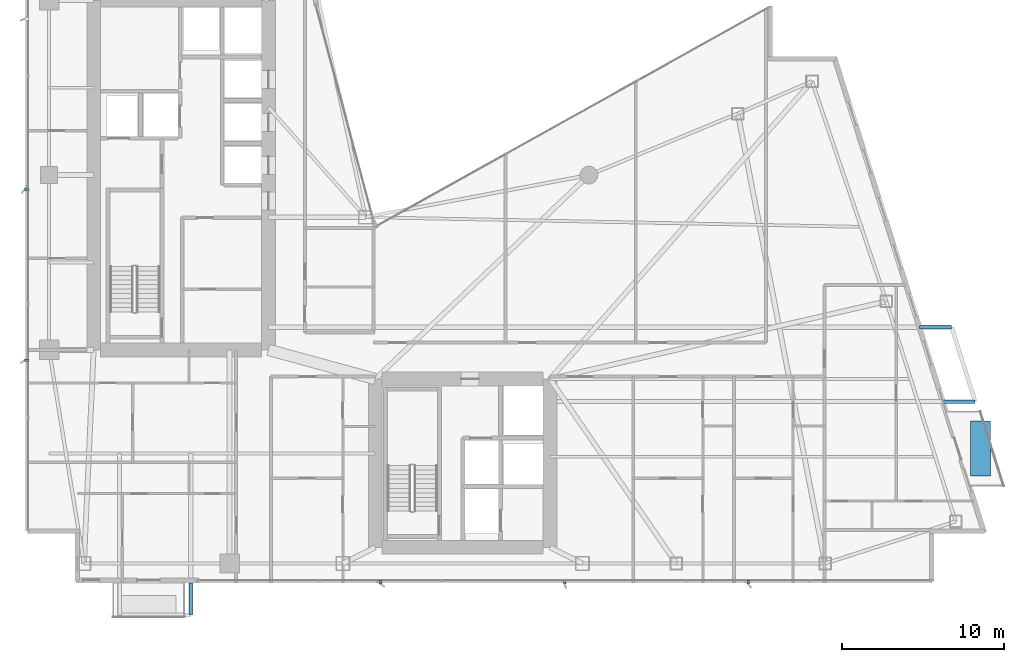
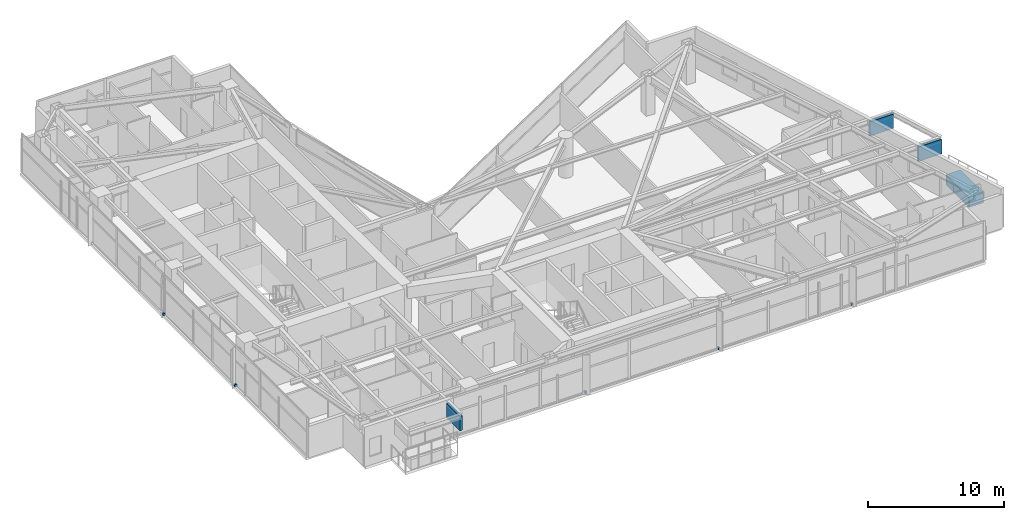
# One storey, part 26 of 29: 9 discrete accessories.
"""IFC4 building model written with IfcOpenShell, lengths in metres."""

from ifc_helpers import new_model, si_unit, direction, frame, origin, origin_2d, place, context, subcontext, project, spatial, rectangle, extrude, material, type_object, element, save


model = new_model("IFC4")

# Units and contexts
model_context = context("Model", 3, precision=1e-05, world=origin(), true_north=direction((0.0, 1.0)))
body_context = subcontext(model_context, "Body", "Model", "MODEL_VIEW")
ifc_project = project(units=[si_unit("LENGTHUNIT", "METRE"), si_unit("AREAUNIT", "SQUARE_METRE"), si_unit("VOLUMEUNIT", "CUBIC_METRE"), si_unit("PLANEANGLEUNIT", "RADIAN"), si_unit("MASSUNIT", "GRAM", prefix="KILO")], contexts=[model_context])

# Site, building, storey
site_placement = place(None, origin())
site = spatial("IfcSite", under=ifc_project, at=site_placement, CompositionType="ELEMENT")
building_placement = place(site_placement, origin())
building = spatial("IfcBuilding", under=site, at=building_placement, Name="Calvorn Quay Hotel", CompositionType="ELEMENT")
storey_placement = place(building_placement, frame((0.0, 0.0, 124.0)))
storey = spatial("IfcBuildingStorey", under=building, at=storey_placement, Name="L30", CompositionType="ELEMENT", Elevation=124.0)

# Discrete accessories
ifc_material_1 = material(Name="Steel Q355B", Category="steel")
discrete_accessory_type_1 = type_object("IfcDiscreteAccessoryType", Name="ACC-BALC-STRUT", PredefinedType="BRACKET", material=ifc_material_1)
for number, where, z_axis, x_axis, name in (
    (1, (57.674072265625, 13.60009765625, 2.01513671875), (0.0, 0.0, 1.0), (1.0, 0.0, 0.0), "Exterior Balcony Steel Bracket L31-BALC-E-A"),
    (2, (56.22509765625, 18.199951171875, 2.01513671875), (0.0, 0.0, 1.0), (1.0, 0.0, 0.0), "Exterior Balcony Steel Bracket L31-BALC-E-B"),
):
    element("IfcDiscreteAccessory", number, at=place(storey_placement, frame(where, z_axis=z_axis, x_axis=x_axis)), inside=storey, type_object=discrete_accessory_type_1, Name=name, PredefinedType="BRACKET", context=body_context, shape_type="SweptSolid", body=[
        extrude(rectangle(XDim=1.989990234375, YDim=0.219970703125, at=origin_2d()), origin(), (0.0, 0.0, 1.0), 1.300048828125),
    ])
discrete_accessory_1_placement = place(storey_placement, frame((10.199951171875, 1.405029296875, 2.01513671875), z_axis=(0.0, 0.0, 1.0), x_axis=(1.0, 0.0, 0.0)))
element("IfcDiscreteAccessory", 3, at=discrete_accessory_1_placement, inside=storey, type_object=discrete_accessory_type_1, Name="Exterior Balcony Steel Bracket L31-BALC-S-B", PredefinedType="BRACKET", context=body_context, shape_type="SweptSolid", body=[
    extrude(rectangle(XDim=0.219970703125, YDim=1.989990234375, at=origin_2d()), origin(), (0.0, 0.0, 1.0), 1.300048828125),
])
ifc_material_2 = material(Name="Steel Q355B", Category="steel")
discrete_accessory_type_2 = type_object("IfcDiscreteAccessoryType", Name="ACC-FIN-BRACKET", PredefinedType="BRACKET", material=ifc_material_2)
for number, where, z_axis, x_axis, name in (
    (4, (0.06005859375, 16.14990234375, 0.0302734375), (0.0, 0.0, 1.0), (1.0, 0.0, 0.0), "Fin Anchor Bracket L30-W01"),
    (5, (0.06005859375, 26.699951171875, 0.0302734375), (0.0, 0.0, 1.0), (1.0, 0.0, 0.0), "Fin Anchor Bracket L30-W02"),
    (6, (21.949951171875, 2.4599609375, 0.0302734375), (0.0, 0.0, 1.0), (0.0, 1.0, 0.0), "Fin Anchor Bracket L30-S01"),
    (7, (33.300048828125, 2.4599609375, 0.0302734375), (0.0, 0.0, 1.0), (0.0, 1.0, 0.0), "Fin Anchor Bracket L30-S02"),
    (8, (44.64990234375, 2.4599609375, 0.0302734375), (0.0, 0.0, 1.0), (0.0, 1.0, 0.0), "Fin Anchor Bracket L30-S03"),
):
    element("IfcDiscreteAccessory", number, at=place(storey_placement, frame(where, z_axis=z_axis, x_axis=x_axis)), inside=storey, type_object=discrete_accessory_type_2, Name=name, PredefinedType="BRACKET", context=body_context, shape_type="SweptSolid", body=[
        extrude(rectangle(XDim=0.239990234375, YDim=0.159912109375, at=origin_2d()), origin(), (0.0, 0.0, 1.0), 0.179931640625),
    ])
ifc_material_3 = material(Name="Precast concrete C40", Category="concrete")
discrete_accessory_type_3 = type_object("IfcDiscreteAccessoryType", Name="ACC-TREE-PLANTER", PredefinedType="USERDEFINED", material=ifc_material_3)
discrete_accessory_2_placement = place(storey_placement, frame((59.0029296875, 10.699951171875, 0.0), z_axis=(0.0, 0.0, 1.0), x_axis=(1.0, 0.0, 0.0)))
element("IfcDiscreteAccessory", 9, at=discrete_accessory_2_placement, inside=storey, type_object=discrete_accessory_type_3, Name="Subtropical Tree Structural Planter L30-BALC-E", ObjectType="PLANTER", PredefinedType="USERDEFINED", context=body_context, shape_type="SweptSolid", body=[
    extrude(rectangle(XDim=1.25, YDim=3.39990234375, at=origin_2d()), origin(), (0.0, 0.0, 1.0), 0.89990234375),
])

save(model, "model.ifc")
